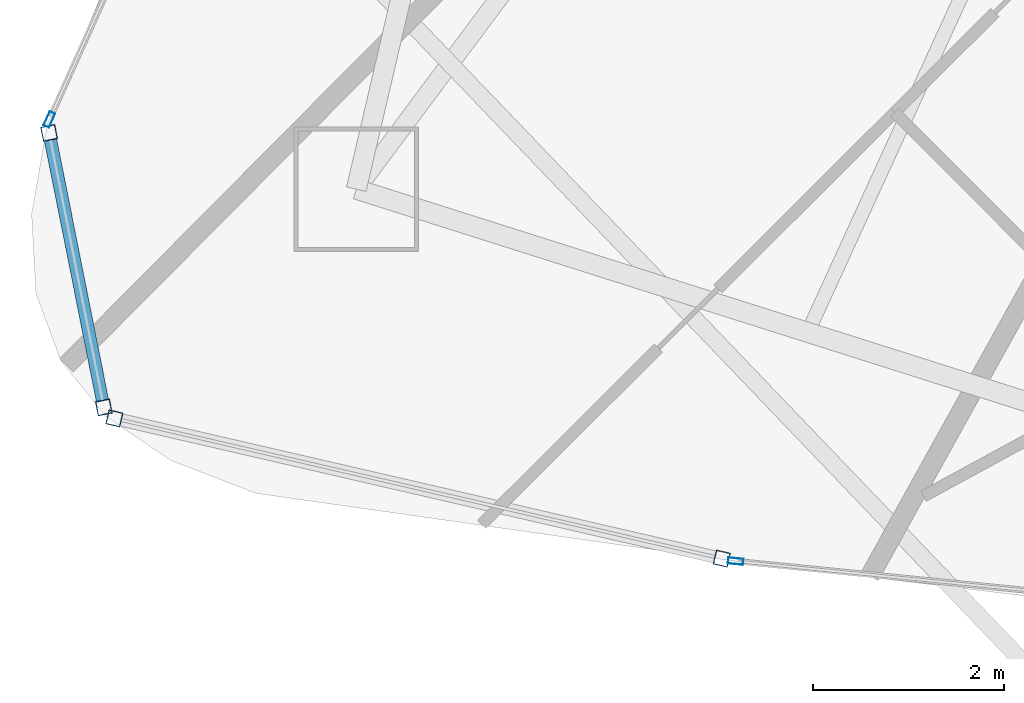
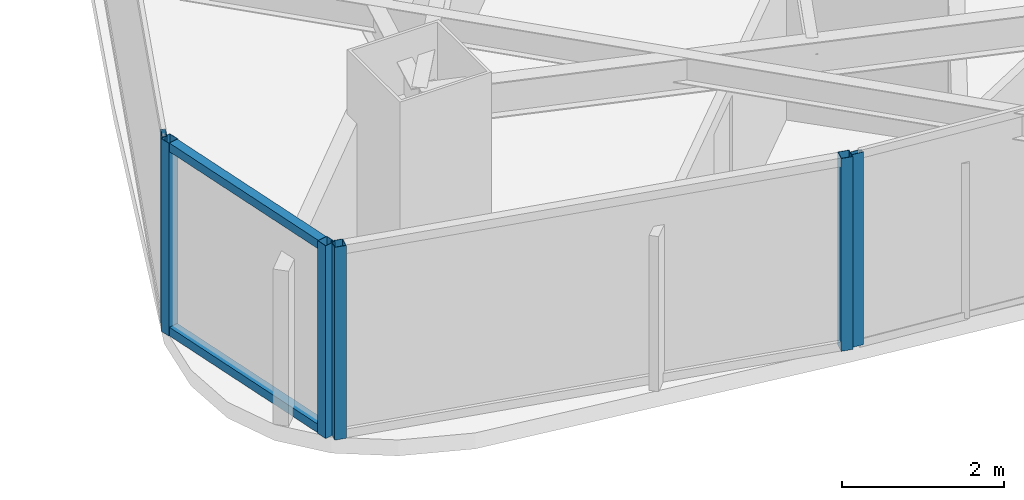
# One storey, part 2 of 29: 8 members, 4 elements without a shape of their own.
"""IFC4 building model written with IfcOpenShell, lengths in metres."""

from ifc_helpers import new_model, si_unit, direction, frame, origin, origin_2d, place, context, subcontext, project, spatial, hollow_rectangle, extrude, material, layer, layer_set, material_profile, profile_set, type_object, element, aggregate, save


model = new_model("IFC4")

# Units and contexts
model_context = context("Model", 3, precision=1e-05, world=origin(), true_north=direction((0.0, 1.0)))
body_context = subcontext(model_context, "Body", "Model", "MODEL_VIEW")
ifc_project = project(units=[si_unit("LENGTHUNIT", "METRE"), si_unit("AREAUNIT", "SQUARE_METRE"), si_unit("VOLUMEUNIT", "CUBIC_METRE"), si_unit("PLANEANGLEUNIT", "RADIAN"), si_unit("MASSUNIT", "GRAM", prefix="KILO")], contexts=[model_context])

# Site, building, storey
site_placement = place(None, origin())
site = spatial("IfcSite", under=ifc_project, at=site_placement, CompositionType="ELEMENT")
building_placement = place(site_placement, origin())
building = spatial("IfcBuilding", under=site, at=building_placement, Name="Orvanel Arch Residences", CompositionType="ELEMENT")
storey_placement = place(building_placement, frame((0.0, 0.0, 253.550048828125)))
storey = spatial("IfcBuildingStorey", under=building, at=storey_placement, Name="L72", CompositionType="ELEMENT", Elevation=253.550048828125)

# Curtain wall, members
ifc_material = material(Name="Bronze-anodised aluminium AA6063-T6", Category="aluminium")
ifc_layer_1 = layer(ifc_material, 0.18994140625)
ifc_layer_set_1 = layer_set([ifc_layer_1], Name="Bronze-anodised aluminium AA6063-T6")
curtain_wall_type_1 = type_object("IfcCurtainWallType", Name="CW5-CRN-SYS", PredefinedType="NOTDEFINED", material=ifc_layer_set_1)
curtain_wall_1_placement = place(storey_placement, origin())
curtain_wall_1 = element("IfcCurtainWall", 1, at=curtain_wall_1_placement, inside=storey, type_object=curtain_wall_type_1, Name="L72 CW5-CRN-SYS Unitised Curtain Wall", PredefinedType="NOTDEFINED")
ifc_material_profile_1 = material_profile(ifc_material, hollow_rectangle(XDim=0.14990234375, YDim=0.14990234375, WallThickness=0.0048828125, at=origin_2d()), Name="ALU150x150x5")
ifc_profile_set_1 = profile_set([ifc_material_profile_1], Name="Bronze-anodised aluminium AA6063-T6")
member_type_1 = type_object("IfcMemberType", Name="MUL-150x150", PredefinedType="MULLION", material=ifc_profile_set_1)
member_1_placement = place(storey_placement, frame((10.983642578125, 10.9404296875, 0.0), z_axis=(0.0, 0.0, 1.0), x_axis=(0.980705375633, 0.195491601364, 0.0)))
member_1 = element("IfcMember", 2, at=member_1_placement, type_object=member_type_1, Name="CW-S5 mullion 1", PredefinedType="MULLION", context=body_context, shape_type="SweptSolid", body=[
    extrude(hollow_rectangle(XDim=0.14990234375, YDim=0.14990234375, WallThickness=0.0048828125, at=origin_2d()), origin(), (0.0, 0.0, 1.0), 2.89990234375),
])
member_2_placement = place(storey_placement, frame((11.556396484375, 8.067626953125, 0.0), z_axis=(0.0, 0.0, 1.0), x_axis=(0.980705375633, 0.195491601364, 0.0)))
member_2 = element("IfcMember", 3, at=member_2_placement, type_object=member_type_1, Name="CW-S5 mullion 2", PredefinedType="MULLION", context=body_context, shape_type="SweptSolid", body=[
    extrude(hollow_rectangle(XDim=0.14990234375, YDim=0.14990234375, WallThickness=0.0048828125, at=origin_2d()), origin(), (0.0, 0.0, 1.0), 2.89990234375),
])

curtain_wall_2_placement = place(storey_placement, origin())
curtain_wall_2 = element("IfcCurtainWall", 4, at=curtain_wall_2_placement, inside=storey, type_object=curtain_wall_type_1, Name="L72 CW5-CRN-SYS Unitised Curtain Wall", PredefinedType="NOTDEFINED")
member_3_placement = place(storey_placement, frame((11.6669921875, 7.9521484375, 0.0), z_axis=(0.0, 0.0, 1.0), x_axis=(0.224870448137, 0.974388670683, 0.0)))
member_3 = element("IfcMember", 5, at=member_3_placement, type_object=member_type_1, Name="CW-S5 mullion 1", PredefinedType="MULLION", context=body_context, shape_type="SweptSolid", body=[
    extrude(hollow_rectangle(XDim=0.14990234375, YDim=0.14990234375, WallThickness=0.0048828125, at=origin_2d()), origin(), (0.0, 0.0, 1.0), 2.89990234375),
])
member_4_placement = place(storey_placement, frame((18.02490234375, 6.48486328125, 0.0), z_axis=(0.0, 0.0, 1.0), x_axis=(0.224870448137, 0.974388670683, 0.0)))
member_4 = element("IfcMember", 6, at=member_4_placement, type_object=member_type_1, Name="CW-S5 mullion 2", PredefinedType="MULLION", context=body_context, shape_type="SweptSolid", body=[
    extrude(hollow_rectangle(XDim=0.14990234375, YDim=0.14990234375, WallThickness=0.0048828125, at=origin_2d()), origin(), (0.0, 0.0, 1.0), 2.89990234375),
])
aggregate(curtain_wall_2, [member_3, member_4])

# Curtain wall, member
ifc_layer_2 = layer(ifc_material, 0.175048828125)
ifc_layer_set_2 = layer_set([ifc_layer_2], Name="Bronze-anodised aluminium AA6063-T6")
curtain_wall_type_2 = type_object("IfcCurtainWallType", Name="CW4-HI-SYS", PredefinedType="NOTDEFINED", material=ifc_layer_set_2)
curtain_wall_3_placement = place(storey_placement, origin())
curtain_wall_3 = element("IfcCurtainWall", 7, at=curtain_wall_3_placement, inside=storey, type_object=curtain_wall_type_2, Name="L72 CW4-HI-SYS Unitised Curtain Wall", PredefinedType="NOTDEFINED")
ifc_material_profile_2 = material_profile(ifc_material, hollow_rectangle(XDim=0.06494140625, YDim=0.159912109375, WallThickness=0.00390625, at=origin_2d()), Name="ALU160x65x4")
ifc_profile_set_2 = profile_set([ifc_material_profile_2], Name="Bronze-anodised aluminium AA6063-T6")
member_type_2 = type_object("IfcMemberType", Name="MUL-160x65", PredefinedType="MULLION", material=ifc_profile_set_2)
member_5_placement = place(storey_placement, frame((10.986328125, 11.08154296875, 0.0), z_axis=(0.0, 0.0, 1.0), x_axis=(0.911907243559, -0.410396368338, 0.0)))
member_5 = element("IfcMember", 8, at=member_5_placement, type_object=member_type_2, Name="CW-S4 mullion 3", PredefinedType="MULLION", context=body_context, shape_type="SweptSolid", body=[
    extrude(hollow_rectangle(XDim=0.06494140625, YDim=0.159912109375, WallThickness=0.00390625, at=origin_2d()), origin(), (0.0, 0.0, 1.0), 2.89990234375),
])
aggregate(curtain_wall_3, [member_5])

curtain_wall_4_placement = place(storey_placement, origin())
curtain_wall_4 = element("IfcCurtainWall", 9, at=curtain_wall_4_placement, inside=storey, type_object=curtain_wall_type_2, Name="L72 CW4-HI-SYS Unitised Curtain Wall", PredefinedType="NOTDEFINED")
member_6_placement = place(storey_placement, frame((18.16943359375, 6.457763671875, 0.0), z_axis=(0.0, 0.0, 1.0), x_axis=(0.099583474002, 0.995029211484, 0.0)))
member_6 = element("IfcMember", 10, at=member_6_placement, type_object=member_type_2, Name="CW-S4 mullion 1", PredefinedType="MULLION", context=body_context, shape_type="SweptSolid", body=[
    extrude(hollow_rectangle(XDim=0.06494140625, YDim=0.159912109375, WallThickness=0.00390625, at=origin_2d()), origin(), (0.0, 0.0, 1.0), 2.89990234375),
])
aggregate(curtain_wall_4, [member_6])

# Member
ifc_material_profile_3 = material_profile(ifc_material, hollow_rectangle(XDim=0.1298828125, YDim=0.1298828125, WallThickness=0.00439453125, at=origin_2d()), Name="ALU130x130x4.5")
ifc_profile_set_3 = profile_set([ifc_material_profile_3], Name="Bronze-anodised aluminium AA6063-T6")
member_type_3 = type_object("IfcMemberType", Name="TRN-130x130", PredefinedType="USERDEFINED", material=ifc_profile_set_3)
member_7_placement = place(storey_placement, frame((10.998291015625, 10.866943359375, 0.06494140625), z_axis=(0.195524889739, -0.980698739416, 0.0), x_axis=(0.980698739416, 0.195524889739, 0.0)))
member_7 = element("IfcMember", 11, at=member_7_placement, type_object=member_type_3, Name="CW-S5 transom 1.1", ObjectType="TRANSOM", PredefinedType="USERDEFINED", context=body_context, shape_type="SweptSolid", body=[
    extrude(hollow_rectangle(XDim=0.1298828125, YDim=0.1298828125, WallThickness=0.00439453125, at=origin_2d()), origin(), (0.0, 0.0, 1.0), 2.779541015625),
])

member_8_placement = place(storey_placement, frame((10.998291015625, 10.866943359375, 2.8349609375), z_axis=(0.195524889739, -0.980698739416, 0.0), x_axis=(0.980698739416, 0.195524889739, 0.0)))
member_8 = element("IfcMember", 12, at=member_8_placement, type_object=member_type_3, Name="CW-S5 transom 1.2", ObjectType="TRANSOM", PredefinedType="USERDEFINED", context=body_context, shape_type="SweptSolid", body=[
    extrude(hollow_rectangle(XDim=0.1298828125, YDim=0.1298828125, WallThickness=0.00439453125, at=origin_2d()), origin(), (0.0, 0.0, 1.0), 2.779541015625),
])

aggregate(curtain_wall_1, [member_1, member_2, member_7, member_8])

save(model, "model.ifc")
